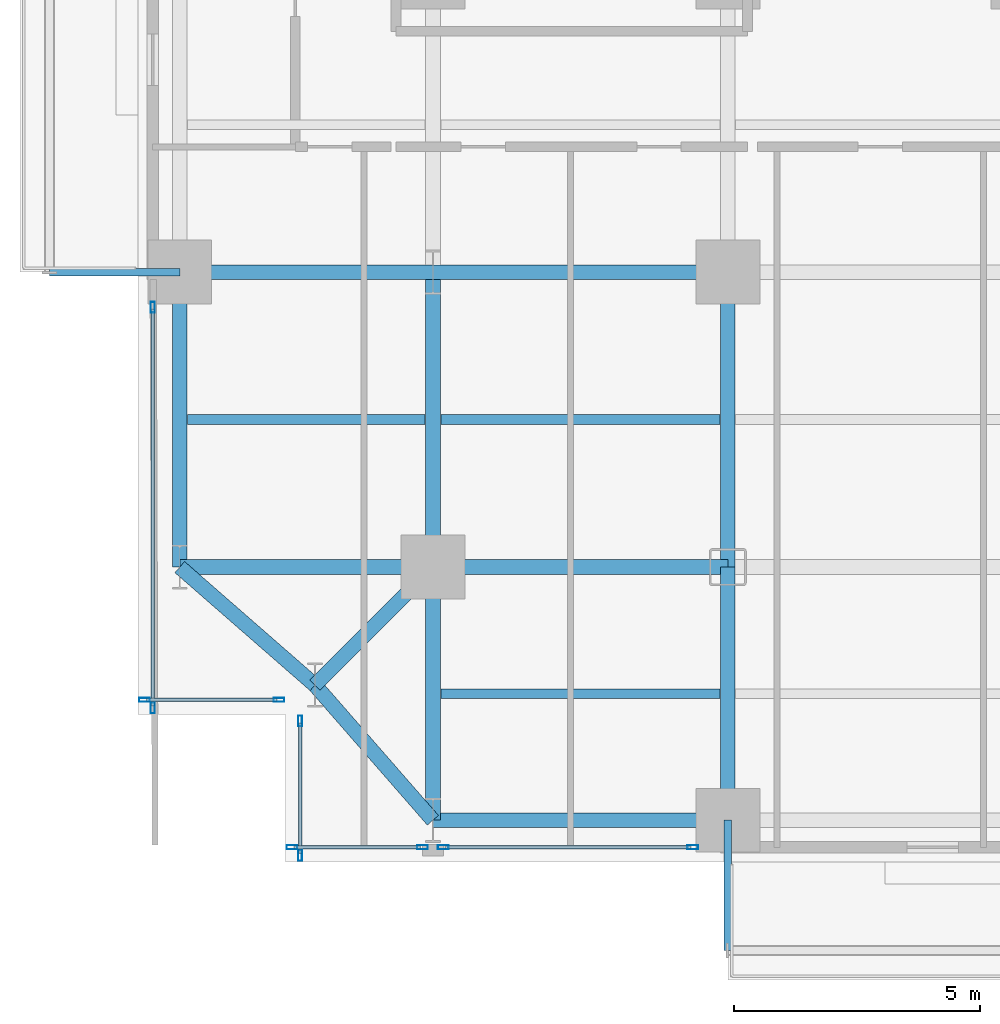
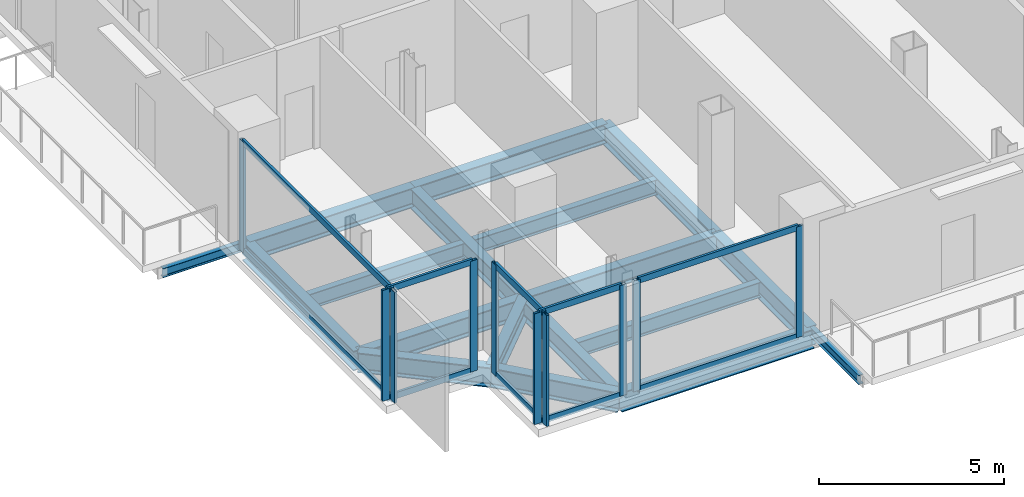
# One storey, part 2 of 25: 20 members, 18 beams, 5 elements without a shape of their own.
"""IFC4 building model written with IfcOpenShell, lengths in metres."""

from ifc_helpers import new_model, si_unit, direction, frame, origin, origin_2d, place, context, subcontext, project, spatial, hollow_rectangle, i_section, extrude, material, layer, layer_set, material_profile, profile_set, type_object, element, aggregate, save


model = new_model("IFC4")

# Units and contexts
model_context = context("Model", 3, precision=1e-05, world=origin(), true_north=direction((0.0, 1.0)))
body_context = subcontext(model_context, "Body", "Model", "MODEL_VIEW")
ifc_project = project(units=[si_unit("LENGTHUNIT", "METRE"), si_unit("AREAUNIT", "SQUARE_METRE"), si_unit("VOLUMEUNIT", "CUBIC_METRE"), si_unit("PLANEANGLEUNIT", "RADIAN"), si_unit("MASSUNIT", "GRAM", prefix="KILO"), si_unit("THERMODYNAMICTEMPERATUREUNIT", "KELVIN"), si_unit("POWERUNIT", "WATT")], contexts=[model_context])

# Site, building, storey
site_placement = place(None, origin())
site = spatial("IfcSite", under=ifc_project, at=site_placement, CompositionType="ELEMENT")
building_placement = place(site_placement, origin())
building = spatial("IfcBuilding", under=site, at=building_placement, Name="Svarakhadi Broadcast Tower", CompositionType="ELEMENT")
storey_placement = place(building_placement, frame((0.0, 0.0, 51.89990234375)))
storey = spatial("IfcBuildingStorey", under=building, at=storey_placement, Name="L11", CompositionType="ELEMENT", Elevation=51.89990234375)

# Beams
ifc_material_1 = material(Name="Steel S355J2 (IS 2062 E350C)", Category="steel")
ifc_material_profile_1 = material_profile(ifc_material_1, i_section(OverallWidth=0.199951171875, OverallDepth=0.5, WebThickness=0.01025390625, FlangeThickness=0.01611328125, FilletRadius=0.02099609375, at=origin_2d()), Name="NPB 500x200x91")
ifc_profile_set_1 = profile_set([ifc_material_profile_1], Name="Steel S355J2 (IS 2062 E350C)")
beam_type_1 = type_object("IfcBeamType", Name="Beam_NPB500", PredefinedType="BEAM", material=ifc_profile_set_1)
beam_1_placement = place(storey_placement, frame((1.010009765625, 9.0, -0.5), z_axis=(1.0, 0.0, 0.0), x_axis=(0.0, 1.0, 0.0)))
element("IfcBeam", 1, at=beam_1_placement, inside=storey, type_object=beam_type_1, Name="L11 Secondary Composite Beam SB001", PredefinedType="BEAM", context=body_context, shape_type="SweptSolid", body=[
    extrude(i_section(OverallWidth=0.199951171875, OverallDepth=0.5, WebThickness=0.01025390625, FlangeThickness=0.01611328125, FilletRadius=0.02099609375, at=origin_2d()), origin(), (0.0, 0.0, 1.0), 4.830078125),
])
for number, where, z_axis, x_axis, name in (
    (2, (6.159912109375, 3.425048828125, -0.5), (1.0, 0.0, 0.0), (0.0, 1.0, 0.0), "L11 Secondary Composite Beam SB007"),
    (3, (6.159912109375, 9.0, -0.5), (1.0, 0.0, 0.0), (0.0, 1.0, 0.0), "L11 Secondary Composite Beam SB008"),
):
    element("IfcBeam", number, at=place(storey_placement, frame(where, z_axis=z_axis, x_axis=x_axis)), inside=storey, type_object=beam_type_1, Name=name, PredefinedType="BEAM", context=body_context, shape_type="SweptSolid", body=[
        extrude(i_section(OverallWidth=0.199951171875, OverallDepth=0.5, WebThickness=0.01025390625, FlangeThickness=0.01611328125, FilletRadius=0.02099609375, at=origin_2d()), origin(), (0.0, 0.0, 1.0), 5.68017578125),
    ])

# Curtain wall, members
ifc_material_2 = material(Name="Anodised Bronze Aluminium AA 6063-T6", Category="aluminium")
ifc_layer = layer(ifc_material_2, 0.219970703125)
ifc_layer_set = layer_set([ifc_layer], Name="Anodised Bronze Aluminium AA 6063-T6")
curtain_wall_type = type_object("IfcCurtainWallType", Name="CW_Sys_02", PredefinedType="NOTDEFINED", material=ifc_layer_set)
curtain_wall_1_placement = place(storey_placement, origin())
curtain_wall_1 = element("IfcCurtainWall", 4, at=curtain_wall_1_placement, inside=storey, type_object=curtain_wall_type, Name="L11 Unitised Facade Curtain Wall 01", PredefinedType="NOTDEFINED")
ifc_material_profile_2 = material_profile(ifc_material_2, hollow_rectangle(XDim=0.0849609375, YDim=0.219970703125, WallThickness=0.006103515625, at=origin_2d()), Name="ALU MULLION 220x85x6")
ifc_profile_set_2 = profile_set([ifc_material_profile_2], Name="Anodised Bronze Aluminium AA 6063-T6")
member_type_1 = type_object("IfcMemberType", Name="CW_Sys_02_Mul", PredefinedType="MULLION", material=ifc_profile_set_2)
member_1_placement = place(storey_placement, frame((2.867431640625, 3.300048828125, 0.0), z_axis=(0.0, 0.0, 1.0), x_axis=(0.0, -1.0, 0.0)))
member_1 = element("IfcMember", 5, at=member_1_placement, type_object=member_type_1, Name="CW-02 mullion 1", PredefinedType="MULLION", context=body_context, shape_type="SweptSolid", body=[
    extrude(hollow_rectangle(XDim=0.0849609375, YDim=0.219970703125, WallThickness=0.006103515625, at=origin_2d()), origin(), (0.0, 0.0, 1.0), 3.650146484375),
])
member_2_placement = place(storey_placement, frame((0.132568359375, 3.300048828125, 0.0), z_axis=(0.0, 0.0, 1.0), x_axis=(0.0, -1.0, 0.0)))
member_2 = element("IfcMember", 6, at=member_2_placement, type_object=member_type_1, Name="CW-02 mullion 2", PredefinedType="MULLION", context=body_context, shape_type="SweptSolid", body=[
    extrude(hollow_rectangle(XDim=0.0849609375, YDim=0.219970703125, WallThickness=0.006103515625, at=origin_2d()), origin(), (0.0, 0.0, 1.0), 3.650146484375),
])

curtain_wall_2_placement = place(storey_placement, origin())
curtain_wall_2 = element("IfcCurtainWall", 7, at=curtain_wall_2_placement, inside=storey, type_object=curtain_wall_type, Name="L11 West Curtain Wall 02", PredefinedType="NOTDEFINED")
member_3_placement = place(storey_placement, frame((0.300048828125, 3.132568359375, 0.0), z_axis=(0.0, 0.0, 1.0), x_axis=(-1.0, 0.0, 0.0)))
member_3 = element("IfcMember", 8, at=member_3_placement, type_object=member_type_1, Name="CW-02 mullion 1", PredefinedType="MULLION", context=body_context, shape_type="SweptSolid", body=[
    extrude(hollow_rectangle(XDim=0.0849609375, YDim=0.219970703125, WallThickness=0.006103515625, at=origin_2d()), origin(), (0.0, 0.0, 1.0), 3.650146484375),
])
member_4_placement = place(storey_placement, frame((0.300048828125, 11.28759765625, 0.0), z_axis=(0.0, 0.0, 1.0), x_axis=(-1.0, 0.0, 0.0)))
member_4 = element("IfcMember", 9, at=member_4_placement, type_object=member_type_1, Name="CW-02 mullion 2", PredefinedType="MULLION", context=body_context, shape_type="SweptSolid", body=[
    extrude(hollow_rectangle(XDim=0.0849609375, YDim=0.219970703125, WallThickness=0.006103515625, at=origin_2d()), origin(), (0.0, 0.0, 1.0), 3.650146484375),
])

curtain_wall_3_placement = place(storey_placement, origin())
curtain_wall_3 = element("IfcCurtainWall", 10, at=curtain_wall_3_placement, inside=storey, type_object=curtain_wall_type, Name="L11 South Curtain Wall 17 Bay 1", PredefinedType="NOTDEFINED")
member_5_placement = place(storey_placement, frame((11.28759765625, 0.300048828125, 0.0), z_axis=(0.0, 0.0, 1.0), x_axis=(0.0, -1.0, 0.0)))
member_5 = element("IfcMember", 11, at=member_5_placement, type_object=member_type_1, Name="CW-02 mullion 1", PredefinedType="MULLION", context=body_context, shape_type="SweptSolid", body=[
    extrude(hollow_rectangle(XDim=0.0849609375, YDim=0.219970703125, WallThickness=0.006103515625, at=origin_2d()), origin(), (0.0, 0.0, 1.0), 3.650146484375),
])
member_6_placement = place(storey_placement, frame((6.21240234375, 0.300048828125, 0.0), z_axis=(0.0, 0.0, 1.0), x_axis=(0.0, -1.0, 0.0)))
member_6 = element("IfcMember", 12, at=member_6_placement, type_object=member_type_1, Name="CW-02 mullion 2", PredefinedType="MULLION", context=body_context, shape_type="SweptSolid", body=[
    extrude(hollow_rectangle(XDim=0.0849609375, YDim=0.219970703125, WallThickness=0.006103515625, at=origin_2d()), origin(), (0.0, 0.0, 1.0), 3.650146484375),
])

curtain_wall_4_placement = place(storey_placement, origin())
curtain_wall_4 = element("IfcCurtainWall", 13, at=curtain_wall_4_placement, inside=storey, type_object=curtain_wall_type, Name="L11 South Curtain Wall 17 Bay 2", PredefinedType="NOTDEFINED")
member_7_placement = place(storey_placement, frame((5.78759765625, 0.300048828125, 0.0), z_axis=(0.0, 0.0, 1.0), x_axis=(0.0, -1.0, 0.0)))
member_7 = element("IfcMember", 14, at=member_7_placement, type_object=member_type_1, Name="CW-02 mullion 1", PredefinedType="MULLION", context=body_context, shape_type="SweptSolid", body=[
    extrude(hollow_rectangle(XDim=0.0849609375, YDim=0.219970703125, WallThickness=0.006103515625, at=origin_2d()), origin(), (0.0, 0.0, 1.0), 3.650146484375),
])
member_8_placement = place(storey_placement, frame((3.132568359375, 0.300048828125, 0.0), z_axis=(0.0, 0.0, 1.0), x_axis=(0.0, -1.0, 0.0)))
member_8 = element("IfcMember", 15, at=member_8_placement, type_object=member_type_1, Name="CW-02 mullion 2", PredefinedType="MULLION", context=body_context, shape_type="SweptSolid", body=[
    extrude(hollow_rectangle(XDim=0.0849609375, YDim=0.219970703125, WallThickness=0.006103515625, at=origin_2d()), origin(), (0.0, 0.0, 1.0), 3.650146484375),
])

curtain_wall_5_placement = place(storey_placement, origin())
curtain_wall_5 = element("IfcCurtainWall", 16, at=curtain_wall_5_placement, inside=storey, type_object=curtain_wall_type, Name="L11 Unitised Facade Curtain Wall 18", PredefinedType="NOTDEFINED")
member_9_placement = place(storey_placement, frame((3.300048828125, 0.132568359375, 0.0), z_axis=(0.0, 0.0, 1.0), x_axis=(-1.0, 0.0, 0.0)))
member_9 = element("IfcMember", 17, at=member_9_placement, type_object=member_type_1, Name="CW-02 mullion 1", PredefinedType="MULLION", context=body_context, shape_type="SweptSolid", body=[
    extrude(hollow_rectangle(XDim=0.0849609375, YDim=0.219970703125, WallThickness=0.006103515625, at=origin_2d()), origin(), (0.0, 0.0, 1.0), 3.650146484375),
])
member_10_placement = place(storey_placement, frame((3.300048828125, 2.867431640625, 0.0), z_axis=(0.0, 0.0, 1.0), x_axis=(-1.0, 0.0, 0.0)))
member_10 = element("IfcMember", 18, at=member_10_placement, type_object=member_type_1, Name="CW-02 mullion 2", PredefinedType="MULLION", context=body_context, shape_type="SweptSolid", body=[
    extrude(hollow_rectangle(XDim=0.0849609375, YDim=0.219970703125, WallThickness=0.006103515625, at=origin_2d()), origin(), (0.0, 0.0, 1.0), 3.650146484375),
])

# Member
ifc_material_profile_3 = material_profile(ifc_material_2, hollow_rectangle(XDim=0.074951171875, YDim=0.199951171875, WallThickness=0.0048828125, at=origin_2d()), Name="ALU TRANSOM 200x75x5")
ifc_profile_set_3 = profile_set([ifc_material_profile_3], Name="Anodised Bronze Aluminium AA 6063-T6")
member_type_2 = type_object("IfcMemberType", Name="CW_Sys_02_Trn", PredefinedType="USERDEFINED", material=ifc_profile_set_3)
member_11_placement = place(storey_placement, frame((2.824951171875, 3.300048828125, 0.03759765625), z_axis=(-1.0, 0.0, 0.0), x_axis=(0.0, -1.0, 0.0)))
member_11 = element("IfcMember", 19, at=member_11_placement, type_object=member_type_2, Name="CW-02 transom 1.1", ObjectType="TRANSOM", PredefinedType="USERDEFINED", context=body_context, shape_type="SweptSolid", body=[
    extrude(hollow_rectangle(XDim=0.074951171875, YDim=0.199951171875, WallThickness=0.0048828125, at=origin_2d()), origin(), (0.0, 0.0, 1.0), 2.64990234375),
])

member_12_placement = place(storey_placement, frame((2.824951171875, 3.300048828125, 3.612548828125), z_axis=(-1.0, 0.0, 0.0), x_axis=(0.0, -1.0, 0.0)))
member_12 = element("IfcMember", 20, at=member_12_placement, type_object=member_type_2, Name="CW-02 transom 1.2", ObjectType="TRANSOM", PredefinedType="USERDEFINED", context=body_context, shape_type="SweptSolid", body=[
    extrude(hollow_rectangle(XDim=0.074951171875, YDim=0.199951171875, WallThickness=0.0048828125, at=origin_2d()), origin(), (0.0, 0.0, 1.0), 2.64990234375),
])

aggregate(curtain_wall_1, [member_1, member_2, member_11, member_12])

member_13_placement = place(storey_placement, frame((0.300048828125, 3.175048828125, 0.03759765625), z_axis=(0.0, 1.0, 0.0), x_axis=(-1.0, 0.0, 0.0)))
member_13 = element("IfcMember", 21, at=member_13_placement, type_object=member_type_2, Name="CW-02 transom 1.1", ObjectType="TRANSOM", PredefinedType="USERDEFINED", context=body_context, shape_type="SweptSolid", body=[
    extrude(hollow_rectangle(XDim=0.074951171875, YDim=0.199951171875, WallThickness=0.0048828125, at=origin_2d()), origin(), (0.0, 0.0, 1.0), 8.070068359375),
])

member_14_placement = place(storey_placement, frame((0.300048828125, 3.175048828125, 3.612548828125), z_axis=(0.0, 1.0, 0.0), x_axis=(-1.0, 0.0, 0.0)))
member_14 = element("IfcMember", 22, at=member_14_placement, type_object=member_type_2, Name="CW-02 transom 1.2", ObjectType="TRANSOM", PredefinedType="USERDEFINED", context=body_context, shape_type="SweptSolid", body=[
    extrude(hollow_rectangle(XDim=0.074951171875, YDim=0.199951171875, WallThickness=0.0048828125, at=origin_2d()), origin(), (0.0, 0.0, 1.0), 8.070068359375),
])

aggregate(curtain_wall_2, [member_3, member_4, member_13, member_14])

member_15_placement = place(storey_placement, frame((11.2451171875, 0.300048828125, 0.03759765625), z_axis=(-1.0, 0.0, 0.0), x_axis=(0.0, -1.0, 0.0)))
member_15 = element("IfcMember", 23, at=member_15_placement, type_object=member_type_2, Name="CW-02 transom 1.1", ObjectType="TRANSOM", PredefinedType="USERDEFINED", context=body_context, shape_type="SweptSolid", body=[
    extrude(hollow_rectangle(XDim=0.074951171875, YDim=0.199951171875, WallThickness=0.0048828125, at=origin_2d()), origin(), (0.0, 0.0, 1.0), 4.990234375),
])

member_16_placement = place(storey_placement, frame((11.2451171875, 0.300048828125, 3.612548828125), z_axis=(-1.0, 0.0, 0.0), x_axis=(0.0, -1.0, 0.0)))
member_16 = element("IfcMember", 24, at=member_16_placement, type_object=member_type_2, Name="CW-02 transom 1.2", ObjectType="TRANSOM", PredefinedType="USERDEFINED", context=body_context, shape_type="SweptSolid", body=[
    extrude(hollow_rectangle(XDim=0.074951171875, YDim=0.199951171875, WallThickness=0.0048828125, at=origin_2d()), origin(), (0.0, 0.0, 1.0), 4.990234375),
])

aggregate(curtain_wall_3, [member_5, member_6, member_15, member_16])

member_17_placement = place(storey_placement, frame((5.7451171875, 0.300048828125, 0.03759765625), z_axis=(-1.0, 0.0, 0.0), x_axis=(0.0, -1.0, 0.0)))
member_17 = element("IfcMember", 25, at=member_17_placement, type_object=member_type_2, Name="CW-02 transom 1.1", ObjectType="TRANSOM", PredefinedType="USERDEFINED", context=body_context, shape_type="SweptSolid", body=[
    extrude(hollow_rectangle(XDim=0.074951171875, YDim=0.199951171875, WallThickness=0.0048828125, at=origin_2d()), origin(), (0.0, 0.0, 1.0), 2.570068359375),
])

member_18_placement = place(storey_placement, frame((5.7451171875, 0.300048828125, 3.612548828125), z_axis=(-1.0, 0.0, 0.0), x_axis=(0.0, -1.0, 0.0)))
member_18 = element("IfcMember", 26, at=member_18_placement, type_object=member_type_2, Name="CW-02 transom 1.2", ObjectType="TRANSOM", PredefinedType="USERDEFINED", context=body_context, shape_type="SweptSolid", body=[
    extrude(hollow_rectangle(XDim=0.074951171875, YDim=0.199951171875, WallThickness=0.0048828125, at=origin_2d()), origin(), (0.0, 0.0, 1.0), 2.570068359375),
])

aggregate(curtain_wall_4, [member_7, member_8, member_17, member_18])

member_19_placement = place(storey_placement, frame((3.300048828125, 0.175048828125, 0.03759765625), z_axis=(0.0, 1.0, 0.0), x_axis=(-1.0, 0.0, 0.0)))
member_19 = element("IfcMember", 27, at=member_19_placement, type_object=member_type_2, Name="CW-02 transom 1.1", ObjectType="TRANSOM", PredefinedType="USERDEFINED", context=body_context, shape_type="SweptSolid", body=[
    extrude(hollow_rectangle(XDim=0.074951171875, YDim=0.199951171875, WallThickness=0.0048828125, at=origin_2d()), origin(), (0.0, 0.0, 1.0), 2.64990234375),
])

member_20_placement = place(storey_placement, frame((3.300048828125, 0.175048828125, 3.612548828125), z_axis=(0.0, 1.0, 0.0), x_axis=(-1.0, 0.0, 0.0)))
member_20 = element("IfcMember", 28, at=member_20_placement, type_object=member_type_2, Name="CW-02 transom 1.2", ObjectType="TRANSOM", PredefinedType="USERDEFINED", context=body_context, shape_type="SweptSolid", body=[
    extrude(hollow_rectangle(XDim=0.074951171875, YDim=0.199951171875, WallThickness=0.0048828125, at=origin_2d()), origin(), (0.0, 0.0, 1.0), 2.64990234375),
])

aggregate(curtain_wall_5, [member_9, member_10, member_19, member_20])

# Beams
ifc_material_profile_4 = material_profile(ifc_material_1, i_section(OverallWidth=0.300048828125, OverallDepth=0.64990234375, WebThickness=0.01611328125, FlangeThickness=0.031005859375, FilletRadius=0.027099609375, at=origin_2d()), Name="WPB 650x300x225")
ifc_profile_set_4 = profile_set([ifc_material_profile_4], Name="Steel S355J2 (IS 2062 E350C)")
beam_type_2 = type_object("IfcBeamType", Name="Girder_WPB650", PredefinedType="USERDEFINED", material=ifc_profile_set_4)
beam_2_placement = place(storey_placement, frame((3.60009765625, 3.60009765625, -0.574951171875), z_axis=(0.707106781187, 0.707106781187, 0.0), x_axis=(-0.707106781187, 0.707106781187, 0.0)))
element("IfcBeam", 29, at=beam_2_placement, inside=storey, type_object=beam_type_2, Name="L11 Corner Tie Girder G001", ObjectType="GIRDER", PredefinedType="USERDEFINED", context=body_context, shape_type="SweptSolid", body=[
    extrude(i_section(OverallWidth=0.300048828125, OverallDepth=0.64990234375, WebThickness=0.01611328125, FlangeThickness=0.031005859375, FilletRadius=0.027099609375, at=origin_2d()), origin(), (0.0, 0.0, 1.0), 3.39404296875),
])
for number, where, z_axis, x_axis, name in (
    (30, (3.60009765625, 3.60009765625, -0.574951171875), (-0.753437912176, 0.657519058655, 0.0), (-0.657519058655, -0.753437912176, 0.0), "L11 Corner Tie Girder G002"),
    (31, (3.60009765625, 3.60009765625, -0.574951171875), (0.657519058655, -0.753437912176, 0.0), (0.753437912176, 0.657519058655, 0.0), "L11 Corner Tie Girder G003"),
):
    element("IfcBeam", number, at=place(storey_placement, frame(where, z_axis=z_axis, x_axis=x_axis)), inside=storey, type_object=beam_type_2, Name=name, ObjectType="GIRDER", PredefinedType="USERDEFINED", context=body_context, shape_type="SweptSolid", body=[
        extrude(i_section(OverallWidth=0.300048828125, OverallDepth=0.64990234375, WebThickness=0.01611328125, FlangeThickness=0.031005859375, FilletRadius=0.027099609375, at=origin_2d()), origin(), (0.0, 0.0, 1.0), 3.64990234375),
    ])
beam_3_placement = place(storey_placement, frame((6.0, 0.85009765625, -0.574951171875), z_axis=(1.0, 0.0, 0.0), x_axis=(0.0, 1.0, 0.0)))
element("IfcBeam", 32, at=beam_3_placement, inside=storey, type_object=beam_type_2, Name="L11 Primary E-W Girder G004", ObjectType="GIRDER", PredefinedType="USERDEFINED", context=body_context, shape_type="SweptSolid", body=[
    extrude(i_section(OverallWidth=0.300048828125, OverallDepth=0.64990234375, WebThickness=0.01611328125, FlangeThickness=0.031005859375, FilletRadius=0.027099609375, at=origin_2d()), origin(), (0.0, 0.0, 1.0), 6.0),
])
beam_4_placement = place(storey_placement, frame((0.85009765625, 6.0, -0.574951171875), z_axis=(1.0, 0.0, 0.0), x_axis=(0.0, 1.0, 0.0)))
element("IfcBeam", 33, at=beam_4_placement, inside=storey, type_object=beam_type_2, Name="L11 Primary E-W Girder G011", ObjectType="GIRDER", PredefinedType="USERDEFINED", context=body_context, shape_type="SweptSolid", body=[
    extrude(i_section(OverallWidth=0.300048828125, OverallDepth=0.64990234375, WebThickness=0.01611328125, FlangeThickness=0.031005859375, FilletRadius=0.027099609375, at=origin_2d()), origin(), (0.0, 0.0, 1.0), 5.14990234375),
])
beam_5_placement = place(storey_placement, frame((6.0, 6.0, -0.574951171875), z_axis=(1.0, 0.0, 0.0), x_axis=(0.0, 1.0, 0.0)))
element("IfcBeam", 34, at=beam_5_placement, inside=storey, type_object=beam_type_2, Name="L11 Primary E-W Girder G012", ObjectType="GIRDER", PredefinedType="USERDEFINED", context=body_context, shape_type="SweptSolid", body=[
    extrude(i_section(OverallWidth=0.300048828125, OverallDepth=0.64990234375, WebThickness=0.01611328125, FlangeThickness=0.031005859375, FilletRadius=0.027099609375, at=origin_2d()), origin(), (0.0, 0.0, 1.0), 6.0),
])
beam_6_placement = place(storey_placement, frame((0.85009765625, 12.0, -0.574951171875), z_axis=(1.0, 0.0, 0.0), x_axis=(0.0, 1.0, 0.0)))
element("IfcBeam", 35, at=beam_6_placement, inside=storey, type_object=beam_type_2, Name="L11 Primary E-W Girder G019", ObjectType="GIRDER", PredefinedType="USERDEFINED", context=body_context, shape_type="SweptSolid", body=[
    extrude(i_section(OverallWidth=0.300048828125, OverallDepth=0.64990234375, WebThickness=0.01611328125, FlangeThickness=0.031005859375, FilletRadius=0.027099609375, at=origin_2d()), origin(), (0.0, 0.0, 1.0), 5.14990234375),
])
for number, where, z_axis, x_axis, name in (
    (36, (6.0, 12.0, -0.574951171875), (1.0, 0.0, 0.0), (0.0, 1.0, 0.0), "L11 Primary E-W Girder G020"),
    (37, (0.85009765625, 6.0, -0.574951171875), (0.0, 1.0, 0.0), (-1.0, 0.0, 0.0), "L11 Primary N-S Girder G045"),
):
    element("IfcBeam", number, at=place(storey_placement, frame(where, z_axis=z_axis, x_axis=x_axis)), inside=storey, type_object=beam_type_2, Name=name, ObjectType="GIRDER", PredefinedType="USERDEFINED", context=body_context, shape_type="SweptSolid", body=[
        extrude(i_section(OverallWidth=0.300048828125, OverallDepth=0.64990234375, WebThickness=0.01611328125, FlangeThickness=0.031005859375, FilletRadius=0.027099609375, at=origin_2d()), origin(), (0.0, 0.0, 1.0), 6.0),
    ])
beam_7_placement = place(storey_placement, frame((6.0, 0.85009765625, -0.574951171875), z_axis=(0.0, 1.0, 0.0), x_axis=(-1.0, 0.0, 0.0)))
element("IfcBeam", 38, at=beam_7_placement, inside=storey, type_object=beam_type_2, Name="L11 Primary N-S Girder G051", ObjectType="GIRDER", PredefinedType="USERDEFINED", context=body_context, shape_type="SweptSolid", body=[
    extrude(i_section(OverallWidth=0.300048828125, OverallDepth=0.64990234375, WebThickness=0.01611328125, FlangeThickness=0.031005859375, FilletRadius=0.027099609375, at=origin_2d()), origin(), (0.0, 0.0, 1.0), 5.14990234375),
])
beam_8_placement = place(storey_placement, frame((6.0, 6.0, -0.574951171875), z_axis=(0.0, 1.0, 0.0), x_axis=(-1.0, 0.0, 0.0)))
element("IfcBeam", 39, at=beam_8_placement, inside=storey, type_object=beam_type_2, Name="L11 Primary N-S Girder G052", ObjectType="GIRDER", PredefinedType="USERDEFINED", context=body_context, shape_type="SweptSolid", body=[
    extrude(i_section(OverallWidth=0.300048828125, OverallDepth=0.64990234375, WebThickness=0.01611328125, FlangeThickness=0.031005859375, FilletRadius=0.027099609375, at=origin_2d()), origin(), (0.0, 0.0, 1.0), 6.0),
])
beam_9_placement = place(storey_placement, frame((12.0, 0.85009765625, -0.574951171875), z_axis=(0.0, 1.0, 0.0), x_axis=(-1.0, 0.0, 0.0)))
element("IfcBeam", 40, at=beam_9_placement, inside=storey, type_object=beam_type_2, Name="L11 Primary N-S Girder G058", ObjectType="GIRDER", PredefinedType="USERDEFINED", context=body_context, shape_type="SweptSolid", body=[
    extrude(i_section(OverallWidth=0.300048828125, OverallDepth=0.64990234375, WebThickness=0.01611328125, FlangeThickness=0.031005859375, FilletRadius=0.027099609375, at=origin_2d()), origin(), (0.0, 0.0, 1.0), 5.14990234375),
])
beam_10_placement = place(storey_placement, frame((12.0, 6.0, -0.574951171875), z_axis=(0.0, 1.0, 0.0), x_axis=(-1.0, 0.0, 0.0)))
element("IfcBeam", 41, at=beam_10_placement, inside=storey, type_object=beam_type_2, Name="L11 Primary N-S Girder G059", ObjectType="GIRDER", PredefinedType="USERDEFINED", context=body_context, shape_type="SweptSolid", body=[
    extrude(i_section(OverallWidth=0.300048828125, OverallDepth=0.64990234375, WebThickness=0.01611328125, FlangeThickness=0.031005859375, FilletRadius=0.027099609375, at=origin_2d()), origin(), (0.0, 0.0, 1.0), 6.0),
])
ifc_material_profile_5 = material_profile(ifc_material_1, i_section(OverallWidth=0.14990234375, OverallDepth=0.300048828125, WebThickness=0.007080078125, FlangeThickness=0.0107421875, FilletRadius=0.014892578125, at=origin_2d()), Name="NPB 300x150x37")
ifc_profile_set_5 = profile_set([ifc_material_profile_5], Name="Steel S355J2 (IS 2062 E350C)")
beam_type_3 = type_object("IfcBeamType", Name="Spandrel_NPB300", PredefinedType="SPANDREL", material=ifc_profile_set_5)
for number, where, z_axis, x_axis, name in (
    (42, (12.0, 0.85009765625, -0.39990234375), (0.0, -1.0, 0.0), (1.0, 0.0, 0.0), "L11 Balcony Cantilever Bracket 1A"),
    (43, (0.85009765625, 12.0, -0.39990234375), (-1.0, 0.0, 0.0), (0.0, -1.0, 0.0), "L11 Balcony Cantilever Bracket 2A"),
):
    element("IfcBeam", number, at=place(storey_placement, frame(where, z_axis=z_axis, x_axis=x_axis)), inside=storey, type_object=beam_type_3, Name=name, PredefinedType="SPANDREL", context=body_context, shape_type="SweptSolid", body=[
        extrude(i_section(OverallWidth=0.14990234375, OverallDepth=0.300048828125, WebThickness=0.007080078125, FlangeThickness=0.0107421875, FilletRadius=0.014892578125, at=origin_2d()), origin(), (0.0, 0.0, 1.0), 2.650146484375),
    ])

save(model, "model.ifc")
